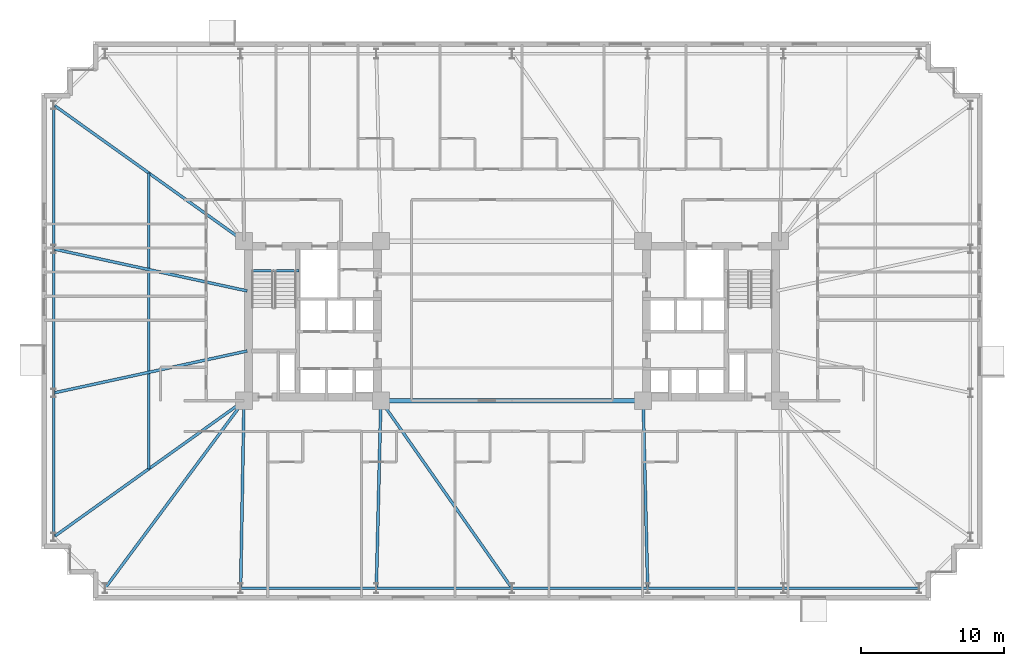
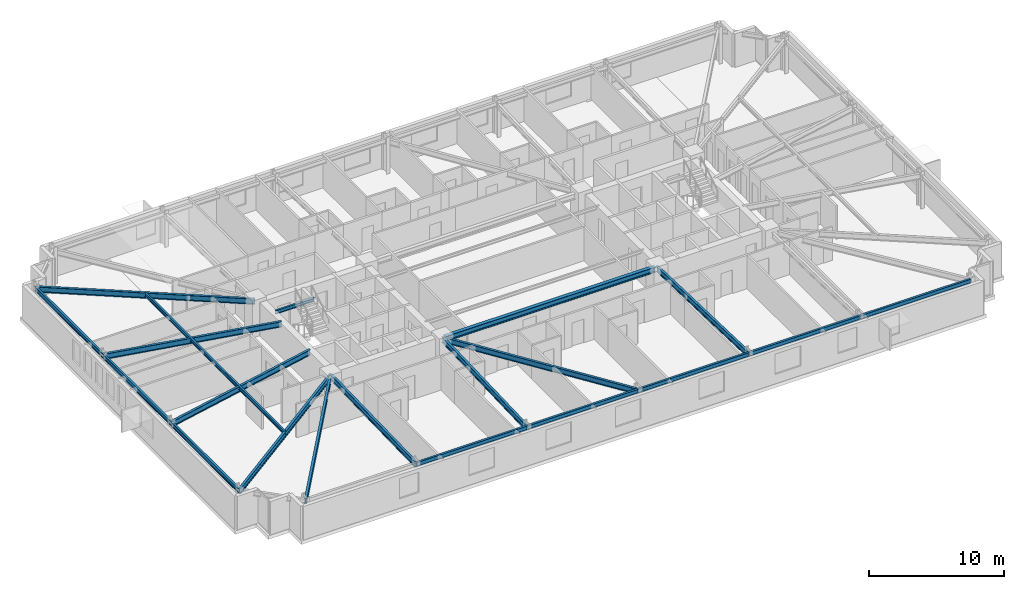
# One storey, part 5 of 22: 20 beams.
"""IFC4 building model written with IfcOpenShell, lengths in metres."""

from ifc_helpers import new_model, si_unit, direction, frame, origin, origin_2d, place, context, subcontext, project, spatial, i_section, extrude, material, material_profile, profile_set, type_object, element, save


model = new_model("IFC4")

# Units and contexts
model_context = context("Model", 3, precision=1e-05, world=origin(), true_north=direction((0.0, 1.0)))
body_context = subcontext(model_context, "Body", "Model", "MODEL_VIEW")
ifc_project = project(units=[si_unit("LENGTHUNIT", "METRE"), si_unit("AREAUNIT", "SQUARE_METRE"), si_unit("VOLUMEUNIT", "CUBIC_METRE"), si_unit("PLANEANGLEUNIT", "RADIAN"), si_unit("MASSUNIT", "GRAM", prefix="KILO")], contexts=[model_context])

# Site, building, storey
site_placement = place(None, origin())
site = spatial("IfcSite", under=ifc_project, at=site_placement, CompositionType="ELEMENT")
building_placement = place(site_placement, origin())
building = spatial("IfcBuilding", under=site, at=building_placement, Name="Qobustan Lattice House", CompositionType="ELEMENT")
storey_placement = place(building_placement, frame((0.0, 0.0, 60.5)))
storey = spatial("IfcBuildingStorey", under=building, at=storey_placement, Name="L16", CompositionType="ELEMENT", Elevation=60.5)

# Beams
ifc_material_1 = material(Name="Steel S355", Category="steel")
ifc_material_profile_1 = material_profile(ifc_material_1, i_section(OverallWidth=0.300048828125, OverallDepth=0.5, WebThickness=0.014404296875, FlangeThickness=0.028076171875, FilletRadius=0.027099609375, at=origin_2d()), Name="HEB500")
ifc_profile_set_1 = profile_set([ifc_material_profile_1], Name="Steel S355")
beam_type_1 = type_object("IfcBeamType", Name="BM-CG-HEB500", PredefinedType="USERDEFINED", material=ifc_profile_set_1)
beam_1_placement = place(storey_placement, frame((-9.050048828125, -5.60009765625, 2.784912109375), z_axis=(1.0, 0.0, 0.0), x_axis=(0.0, 1.0, 0.0)))
element("IfcBeam", 1, at=beam_1_placement, inside=storey, type_object=beam_type_1, Name="L16 core spine girder CG-CS", ObjectType="GIRDER", PredefinedType="USERDEFINED", context=body_context, shape_type="SweptSolid", body=[
    extrude(i_section(OverallWidth=0.300048828125, OverallDepth=0.5, WebThickness=0.014404296875, FlangeThickness=0.028076171875, FilletRadius=0.027099609375, at=origin_2d()), origin(), (0.0, 0.0, 1.0), 18.10009765625),
])
ifc_material_2 = material(Name="Steel S355", Category="steel")
ifc_material_profile_2 = material_profile(ifc_material_2, i_section(OverallWidth=0.199951171875, OverallDepth=0.5, WebThickness=0.01025390625, FlangeThickness=0.01611328125, FilletRadius=0.02099609375, at=origin_2d()), Name="IPE500")
ifc_profile_set_2 = profile_set([ifc_material_profile_2], Name="Steel S355")
beam_type_2 = type_object("IfcBeamType", Name="BM-FLG-IPE500", PredefinedType="USERDEFINED", material=ifc_profile_set_2)
beam_2_placement = place(storey_placement, frame((-28.53515625, -18.72998046875, 2.784912109375), z_axis=(0.5955916815, 0.803287338956, 0.0), x_axis=(-0.803287338956, 0.5955916815, 0.0)))
element("IfcBeam", 2, at=beam_2_placement, inside=storey, type_object=beam_type_2, Name="L16 primary floor girder RAD-S1W", ObjectType="GIRDER", PredefinedType="USERDEFINED", context=body_context, shape_type="SweptSolid", body=[
    extrude(i_section(OverallWidth=0.199951171875, OverallDepth=0.5, WebThickness=0.01025390625, FlangeThickness=0.01611328125, FilletRadius=0.02099609375, at=origin_2d()), origin(), (0.0, 0.0, 1.0), 16.3203125),
])
beam_3_placement = place(storey_placement, frame((-19.032958984375, -18.72509765625, 2.784912109375), z_axis=(0.017757831607, 0.999842317276, 0.0), x_axis=(-0.999842317276, 0.017757831607, 0.0)))
element("IfcBeam", 3, at=beam_3_placement, inside=storey, type_object=beam_type_2, Name="L16 primary floor girder RAD-S2", ObjectType="GIRDER", PredefinedType="USERDEFINED", context=body_context, shape_type="SweptSolid", body=[
    extrude(i_section(OverallWidth=0.199951171875, OverallDepth=0.5, WebThickness=0.01025390625, FlangeThickness=0.01611328125, FilletRadius=0.02099609375, at=origin_2d()), origin(), (0.0, 0.0, 1.0), 13.10205078125),
])
beam_4_placement = place(storey_placement, frame((-9.51611328125, -18.72509765625, 2.784912109375), z_axis=(0.024071445657, 0.999710240772, 0.0), x_axis=(-0.999710240772, 0.024071445657, 0.0)))
element("IfcBeam", 4, at=beam_4_placement, inside=storey, type_object=beam_type_2, Name="L16 primary floor girder RAD-S3", ObjectType="GIRDER", PredefinedType="USERDEFINED", context=body_context, shape_type="SweptSolid", body=[
    extrude(i_section(OverallWidth=0.199951171875, OverallDepth=0.5, WebThickness=0.01025390625, FlangeThickness=0.01611328125, FilletRadius=0.02099609375, at=origin_2d()), origin(), (0.0, 0.0, 1.0), 13.10400390625),
])
beam_5_placement = place(storey_placement, frame((-0.014404296875, -18.7294921875, 2.784912109375), z_axis=(-0.57325954206, 0.819373844736, 0.0), x_axis=(-0.819373844736, -0.57325954206, 0.0)))
element("IfcBeam", 5, at=beam_5_placement, inside=storey, type_object=beam_type_2, Name="L16 primary floor girder RAD-S4", ObjectType="GIRDER", PredefinedType="USERDEFINED", context=body_context, shape_type="SweptSolid", body=[
    extrude(i_section(OverallWidth=0.199951171875, OverallDepth=0.5, WebThickness=0.01025390625, FlangeThickness=0.01611328125, FilletRadius=0.02099609375, at=origin_2d()), origin(), (0.0, 0.0, 1.0), 15.998779296875),
])
beam_6_placement = place(storey_placement, frame((9.51611328125, -18.72509765625, 2.784912109375), z_axis=(-0.024071445657, 0.999710240772, 0.0), x_axis=(-0.999710240772, -0.024071445657, 0.0)))
element("IfcBeam", 6, at=beam_6_placement, inside=storey, type_object=beam_type_2, Name="L16 primary floor girder RAD-S5", ObjectType="GIRDER", PredefinedType="USERDEFINED", context=body_context, shape_type="SweptSolid", body=[
    extrude(i_section(OverallWidth=0.199951171875, OverallDepth=0.5, WebThickness=0.01025390625, FlangeThickness=0.01611328125, FilletRadius=0.02099609375, at=origin_2d()), origin(), (0.0, 0.0, 1.0), 13.10400390625),
])
beam_7_placement = place(storey_placement, frame((-32.129638671875, 15.135498046875, 2.784912109375), z_axis=(0.813318954893, -0.581818079481, 0.0), x_axis=(0.581818079481, 0.813318954893, 0.0)))
element("IfcBeam", 7, at=beam_7_placement, inside=storey, type_object=beam_type_2, Name="L16 primary floor girder RAD-W1", ObjectType="GIRDER", PredefinedType="USERDEFINED", context=body_context, shape_type="SweptSolid", body=[
    extrude(i_section(OverallWidth=0.199951171875, OverallDepth=0.5, WebThickness=0.01025390625, FlangeThickness=0.01611328125, FilletRadius=0.02099609375, at=origin_2d()), origin(), (0.0, 0.0, 1.0), 16.3642578125),
])
for number, where, z_axis, x_axis, name in (
    (8, (-32.12548828125, 5.044677734375, 2.784912109375), (0.97727240275, -0.211987383643, 0.0), (0.211987383643, 0.97727240275, 0.0), "L16 primary floor girder RAD-W2"),
    (9, (-32.12548828125, -5.044677734375, 2.784912109375), (0.97727240275, 0.211987383643, 0.0), (-0.211987383643, 0.97727240275, 0.0), "L16 primary floor girder RAD-W3"),
):
    element("IfcBeam", number, at=place(storey_placement, frame(where, z_axis=z_axis, x_axis=x_axis)), inside=storey, type_object=beam_type_2, Name=name, ObjectType="GIRDER", PredefinedType="USERDEFINED", context=body_context, shape_type="SweptSolid", body=[
        extrude(i_section(OverallWidth=0.199951171875, OverallDepth=0.5, WebThickness=0.01025390625, FlangeThickness=0.01611328125, FilletRadius=0.02099609375, at=origin_2d()), origin(), (0.0, 0.0, 1.0), 13.8662109375),
    ])
beam_8_placement = place(storey_placement, frame((-32.129638671875, -15.135498046875, 2.784912109375), z_axis=(0.813318954893, 0.581818079481, 0.0), x_axis=(-0.581818079481, 0.813318954893, 0.0)))
element("IfcBeam", 10, at=beam_8_placement, inside=storey, type_object=beam_type_2, Name="L16 primary floor girder RAD-W4", ObjectType="GIRDER", PredefinedType="USERDEFINED", context=body_context, shape_type="SweptSolid", body=[
    extrude(i_section(OverallWidth=0.199951171875, OverallDepth=0.5, WebThickness=0.01025390625, FlangeThickness=0.01611328125, FilletRadius=0.02099609375, at=origin_2d()), origin(), (0.0, 0.0, 1.0), 16.3642578125),
])
ifc_material_3 = material(Name="Steel S355", Category="steel")
ifc_material_profile_3 = material_profile(ifc_material_3, i_section(OverallWidth=0.159912109375, OverallDepth=0.330078125, WebThickness=0.007568359375, FlangeThickness=0.011474609375, FilletRadius=0.01806640625, at=origin_2d()), Name="IPE330")
ifc_profile_set_3 = profile_set([ifc_material_profile_3], Name="Steel S355")
beam_type_3 = type_object("IfcBeamType", Name="BM-SEC-IPE330", PredefinedType="BEAM", material=ifc_profile_set_3)
beam_9_placement = place(storey_placement, frame((-25.47509765625, 10.375, 2.8701171875), z_axis=(0.0, -1.0, 0.0), x_axis=(1.0, 0.0, 0.0)))
element("IfcBeam", 11, at=beam_9_placement, inside=storey, type_object=beam_type_3, Name="L16 west wing secondary beam", PredefinedType="BEAM", context=body_context, shape_type="SweptSolid", body=[
    extrude(i_section(OverallWidth=0.159912109375, OverallDepth=0.330078125, WebThickness=0.007568359375, FlangeThickness=0.011474609375, FilletRadius=0.01806640625, at=origin_2d()), origin(), (0.0, 0.0, 1.0), 20.75),
])
ifc_material_4 = material(Name="Steel S355", Category="steel")
ifc_material_profile_4 = material_profile(ifc_material_4, i_section(OverallWidth=0.159912109375, OverallDepth=0.330078125, WebThickness=0.007568359375, FlangeThickness=0.011474609375, FilletRadius=0.01806640625, at=origin_2d()), Name="IPE330")
ifc_profile_set_4 = profile_set([ifc_material_profile_4], Name="Steel S355")
beam_type_4 = type_object("IfcBeamType", Name="BM-SPD-IPE330", PredefinedType="SPANDREL", material=ifc_profile_set_4)
beam_10_placement = place(storey_placement, frame((-18.300048828125, 3.52001953125, 2.8701171875), z_axis=(1.0, 0.0, 0.0), x_axis=(0.0, 1.0, 0.0)))
element("IfcBeam", 12, at=beam_10_placement, inside=storey, type_object=beam_type_4, Name="L16 west stair landing trimmer beam", PredefinedType="SPANDREL", context=body_context, shape_type="SweptSolid", body=[
    extrude(i_section(OverallWidth=0.159912109375, OverallDepth=0.330078125, WebThickness=0.007568359375, FlangeThickness=0.011474609375, FilletRadius=0.01806640625, at=origin_2d()), origin(), (0.0, 0.0, 1.0), 3.35009765625),
])
ifc_material_5 = material(Name="Steel S355", Category="steel")
ifc_material_profile_5 = material_profile(ifc_material_5, i_section(OverallWidth=0.179931640625, OverallDepth=0.39990234375, WebThickness=0.008544921875, FlangeThickness=0.013427734375, FilletRadius=0.02099609375, at=origin_2d()), Name="IPE400")
ifc_profile_set_5 = profile_set([ifc_material_profile_5], Name="Steel S355")
beam_type_5 = type_object("IfcBeamType", Name="BM-SPD-IPE400", PredefinedType="SPANDREL", material=ifc_profile_set_5)
beam_11_placement = place(storey_placement, frame((-19.00830078125, -18.75, 2.8349609375), z_axis=(1.0, 0.0, 0.0), x_axis=(0.0, 1.0, 0.0)))
element("IfcBeam", 13, at=beam_11_placement, inside=storey, type_object=beam_type_5, Name="L16 perimeter spandrel S2-S3", PredefinedType="SPANDREL", context=body_context, shape_type="SweptSolid", body=[
    extrude(i_section(OverallWidth=0.179931640625, OverallDepth=0.39990234375, WebThickness=0.008544921875, FlangeThickness=0.013427734375, FilletRadius=0.02099609375, at=origin_2d()), origin(), (0.0, 0.0, 1.0), 9.466552734375),
])
for number, where, z_axis, x_axis, name in (
    (14, (-9.49169921875, -18.75, 2.8349609375), (1.0, 0.0, 0.0), (0.0, 1.0, 0.0), "L16 perimeter spandrel S3-S4"),
    (15, (0.02490234375, -18.75, 2.8349609375), (1.0, 0.0, 0.0), (0.0, 1.0, 0.0), "L16 perimeter spandrel S4-S5"),
):
    element("IfcBeam", number, at=place(storey_placement, frame(where, z_axis=z_axis, x_axis=x_axis)), inside=storey, type_object=beam_type_5, Name=name, PredefinedType="SPANDREL", context=body_context, shape_type="SweptSolid", body=[
        extrude(i_section(OverallWidth=0.179931640625, OverallDepth=0.39990234375, WebThickness=0.008544921875, FlangeThickness=0.013427734375, FilletRadius=0.02099609375, at=origin_2d()), origin(), (0.0, 0.0, 1.0), 9.466796875),
    ])
for number, where, z_axis, x_axis, name in (
    (16, (9.541748046875, -18.75, 2.8349609375), (1.0, 0.0, 0.0), (0.0, 1.0, 0.0), "L16 perimeter spandrel S5-S6"),
    (17, (19.058349609375, -18.75, 2.8349609375), (1.0, 0.0, 0.0), (0.0, 1.0, 0.0), "L16 perimeter spandrel S6-S7"),
):
    element("IfcBeam", number, at=place(storey_placement, frame(where, z_axis=z_axis, x_axis=x_axis)), inside=storey, type_object=beam_type_5, Name=name, PredefinedType="SPANDREL", context=body_context, shape_type="SweptSolid", body=[
        extrude(i_section(OverallWidth=0.179931640625, OverallDepth=0.39990234375, WebThickness=0.008544921875, FlangeThickness=0.013427734375, FilletRadius=0.02099609375, at=origin_2d()), origin(), (0.0, 0.0, 1.0), 9.466552734375),
    ])
beam_12_placement = place(storey_placement, frame((-32.14990234375, 15.125, 2.8349609375), z_axis=(0.0, -1.0, 0.0), x_axis=(1.0, 0.0, 0.0)))
element("IfcBeam", 18, at=beam_12_placement, inside=storey, type_object=beam_type_5, Name="L16 perimeter spandrel W1-W2", PredefinedType="SPANDREL", context=body_context, shape_type="SweptSolid", body=[
    extrude(i_section(OverallWidth=0.179931640625, OverallDepth=0.39990234375, WebThickness=0.008544921875, FlangeThickness=0.013427734375, FilletRadius=0.02099609375, at=origin_2d()), origin(), (0.0, 0.0, 1.0), 10.050048828125),
])
beam_13_placement = place(storey_placement, frame((-32.14990234375, 5.02490234375, 2.8349609375), z_axis=(0.0, -1.0, 0.0), x_axis=(1.0, 0.0, 0.0)))
element("IfcBeam", 19, at=beam_13_placement, inside=storey, type_object=beam_type_5, Name="L16 perimeter spandrel W2-W3", PredefinedType="SPANDREL", context=body_context, shape_type="SweptSolid", body=[
    extrude(i_section(OverallWidth=0.179931640625, OverallDepth=0.39990234375, WebThickness=0.008544921875, FlangeThickness=0.013427734375, FilletRadius=0.02099609375, at=origin_2d()), origin(), (0.0, 0.0, 1.0), 10.0498046875),
])
beam_14_placement = place(storey_placement, frame((-32.14990234375, -5.074951171875, 2.8349609375), z_axis=(0.0, -1.0, 0.0), x_axis=(1.0, 0.0, 0.0)))
element("IfcBeam", 20, at=beam_14_placement, inside=storey, type_object=beam_type_5, Name="L16 perimeter spandrel W3-W4", PredefinedType="SPANDREL", context=body_context, shape_type="SweptSolid", body=[
    extrude(i_section(OverallWidth=0.179931640625, OverallDepth=0.39990234375, WebThickness=0.008544921875, FlangeThickness=0.013427734375, FilletRadius=0.02099609375, at=origin_2d()), origin(), (0.0, 0.0, 1.0), 10.050048828125),
])

save(model, "model.ifc")
